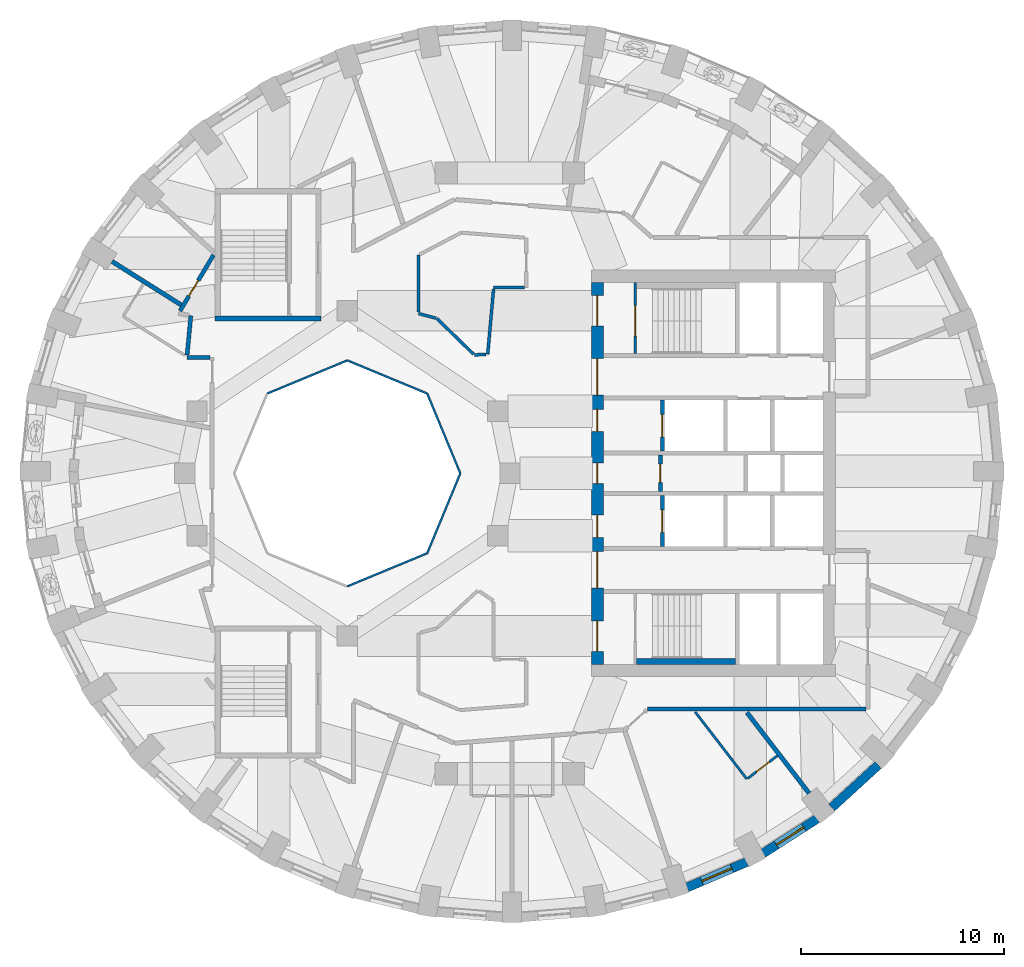
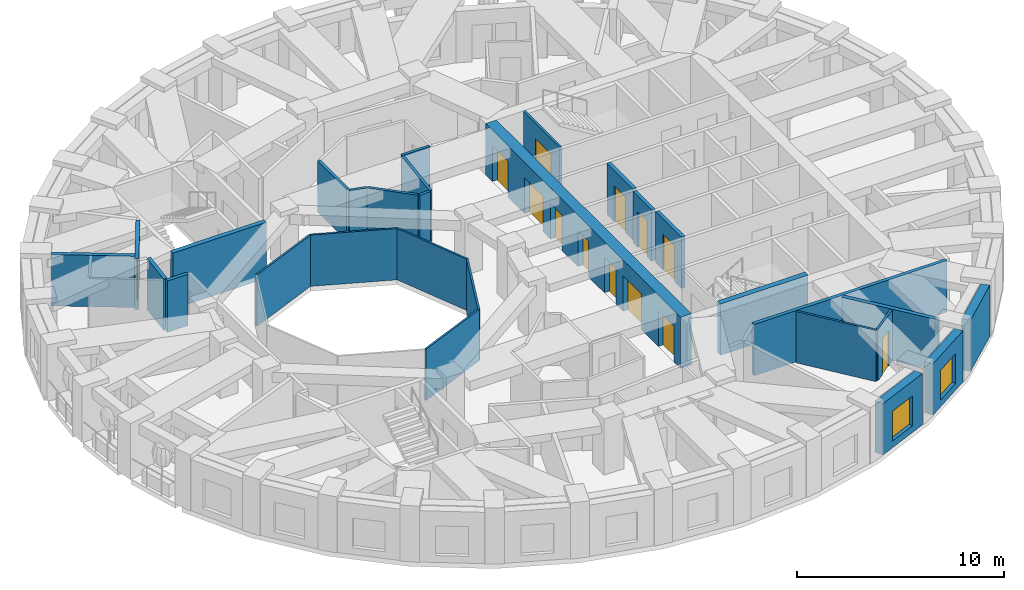
# One storey, part 5 of 12: 29 walls, 13 doors, 2 windows, 15 openings.
"""IFC4 building model written with IfcOpenShell, lengths in metres."""

from ifc_helpers import new_model, si_unit, direction, frame, frame_2d, origin, place, context, subcontext, project, spatial, rectangle, extrude, material, layer, layer_set, type_object, element, fill, save


model = new_model("IFC4")

# Units and contexts
model_context = context("Model", 3, precision=1e-05, world=origin(), true_north=direction((0.0, 1.0)))
body_context = subcontext(model_context, "Body", "Model", "MODEL_VIEW")
ifc_project = project(units=[si_unit("LENGTHUNIT", "METRE"), si_unit("AREAUNIT", "SQUARE_METRE"), si_unit("VOLUMEUNIT", "CUBIC_METRE"), si_unit("PLANEANGLEUNIT", "RADIAN"), si_unit("MASSUNIT", "GRAM", prefix="KILO")], contexts=[model_context])

# Site, building, storey
site_placement = place(None, origin())
site = spatial("IfcSite", under=ifc_project, at=site_placement, CompositionType="ELEMENT")
building_placement = place(site_placement, origin())
building = spatial("IfcBuilding", under=site, at=building_placement, Name="Taillehof Tower", CompositionType="ELEMENT")
storey_placement = place(building_placement, frame((0.0, 0.0, 148.39990234375)))
storey = spatial("IfcBuildingStorey", under=building, at=storey_placement, Name="L41", CompositionType="ELEMENT", Elevation=148.39990234375)

# Walls
ifc_material_1 = material(Name="Fire-resisting glass in steel frame", Category="steel")
ifc_layer_1 = layer(ifc_material_1, 0.10009765625)
ifc_layer_set_1 = layer_set([ifc_layer_1], Name="Atrium fire-resisting screen EI 60 100")
wall_type_1 = type_object("IfcWallType", Name="Atrium fire-resisting screen EI 60 100", PredefinedType="PARTITIONING", material=ifc_layer_set_1)
for number, where, z_axis, x_axis, name in (
    (1, (-2.44580078125, 0.0, 0.0), (0.0, 0.0, 1.0), (-0.382730523909, -0.923860025149, 0.0), "Atrium screen"),
    (2, (-4.07275390625, -3.92724609375, 0.0), (0.0, 0.0, 1.0), (-0.923860025149, -0.382730523909, 0.0), "Atrium screen"),
    (3, (-11.92724609375, 3.92724609375, 0.0), (0.0, 0.0, 1.0), (0.923860025149, 0.382730523909, 0.0), "Atrium screen"),
    (4, (-8.0, 5.55419921875, 0.0), (0.0, 0.0, 1.0), (0.923860025149, -0.382730523909, 0.0), "Atrium screen"),
    (5, (-4.07275390625, 3.92724609375, 0.0), (0.0, 0.0, 1.0), (0.382730523909, -0.923860025149, 0.0), "Atrium screen"),
):
    element("IfcWall", number, at=place(storey_placement, frame(where, z_axis=z_axis, x_axis=x_axis)), inside=storey, type_object=wall_type_1, Name=name, PredefinedType="PARTITIONING", context=body_context, shape_type="SweptSolid", body=[
        extrude(rectangle(XDim=4.2509765625, YDim=0.10009765625, at=frame_2d((2.12548828125, 0.0))), origin(), (0.0, 0.0, 1.0), 3.02001953125),
    ])

# Wall, opening, window
ifc_material_2 = material(Name="Brick masonry", Category="masonry")
ifc_layer_2 = layer(ifc_material_2, 0.449951171875)
ifc_layer_set_2 = layer_set([ifc_layer_2], Name="Brick infill wall 450")
wall_type_2 = type_object("IfcWallType", Name="Brick infill wall 450", PredefinedType="SOLIDWALL", material=ifc_layer_set_2)
wall_1_placement = place(storey_placement, frame((8.706298828125, -20.37451171875, 0.0), z_axis=(0.0, 0.0, 1.0), x_axis=(0.91981046949, 0.392362969986, 0.0)))
wall_1 = element("IfcWall", 6, at=wall_1_placement, inside=storey, type_object=wall_type_2, Name="Brick wall L41 bay 30", PredefinedType="SOLIDWALL", context=body_context, shape_type="SweptSolid", body=[
    extrude(rectangle(XDim=3.20068359375, YDim=0.449951171875, at=frame_2d((1.600341796875, 0.0))), origin(), (0.0, 0.0, 1.0), 3.02001953125),
])
opening_1_placement = place(wall_1_placement, frame((0.80029296875, 0.0, 0.39990234375)))
opening_1 = element("IfcOpeningElement", 7, at=opening_1_placement, cuts=wall_1, Name="Opening W3", PredefinedType="OPENING", context=body_context, shape_type="SweptSolid", body=[
    extrude(rectangle(XDim=1.60009765625, YDim=1.75, at=frame_2d((0.800048828125, 0.875))), frame((0.0, 0.23486328125, 0.0), z_axis=(0.0, -1.0, 0.0), x_axis=(1.0, 0.0, 0.0)), (0.0, 0.0, 1.0), 0.469970703125),
])
ifc_material_3 = material(Name="Aluminium window frame with clear double glazing", Category="aluminium")
window_type = type_object("IfcWindowType", Name="Deep-set window 1600x1750", PartitioningType="SINGLE_PANEL", PredefinedType="WINDOW", material=ifc_material_3)
window_1_placement = place(opening_1_placement, origin())
window_1 = element("IfcWindow", 8, at=window_1_placement, inside=storey, type_object=window_type, Name="W3", OverallHeight=1.75, OverallWidth=1.60009765625, PartitioningType="SINGLE_PANEL", PredefinedType="WINDOW", context=body_context, shape_type="SweptSolid", body=[
    extrude(rectangle(XDim=1.60009765625, YDim=1.75, at=frame_2d((0.800048828125, 0.875))), frame((0.0, 0.034912109375, 0.0), z_axis=(0.0, -1.0, 0.0), x_axis=(1.0, 0.0, 0.0)), (0.0, 0.0, 1.0), 0.06005859375),
])
fill(opening_1, window_1)

wall_2_placement = place(storey_placement, frame((12.454833984375, -18.693115234375, 0.0), z_axis=(0.0, 0.0, 1.0), x_axis=(0.842065914439, 0.539374633943, 0.0)))
wall_2 = element("IfcWall", 9, at=wall_2_placement, inside=storey, type_object=wall_type_2, Name="Brick wall L41 bay 31", PredefinedType="SOLIDWALL", context=body_context, shape_type="SweptSolid", body=[
    extrude(rectangle(XDim=3.1513671875, YDim=0.449951171875, at=frame_2d((1.57568359375, 0.0))), origin(), (0.0, 0.0, 1.0), 3.02001953125),
])
opening_2_placement = place(wall_2_placement, frame((0.775634765625, 0.0, 0.39990234375)))
opening_2 = element("IfcOpeningElement", 10, at=opening_2_placement, cuts=wall_2, Name="Opening W3", PredefinedType="OPENING", context=body_context, shape_type="SweptSolid", body=[
    extrude(rectangle(XDim=1.60009765625, YDim=1.75, at=frame_2d((0.800048828125, 0.875))), frame((0.0, 0.23486328125, 0.0), z_axis=(0.0, -1.0, 0.0), x_axis=(1.0, 0.0, 0.0)), (0.0, 0.0, 1.0), 0.469970703125),
])
window_2_placement = place(opening_2_placement, origin())
window_2 = element("IfcWindow", 11, at=window_2_placement, inside=storey, type_object=window_type, Name="W3", OverallHeight=1.75, OverallWidth=1.60009765625, PartitioningType="SINGLE_PANEL", PredefinedType="WINDOW", context=body_context, shape_type="SweptSolid", body=[
    extrude(rectangle(XDim=1.60009765625, YDim=1.75, at=frame_2d((0.800048828125, 0.875))), frame((0.0, 0.034912109375, 0.0), z_axis=(0.0, -1.0, 0.0), x_axis=(1.0, 0.0, 0.0)), (0.0, 0.0, 1.0), 0.06005859375),
])
fill(opening_2, window_2)

# Wall
wall_3_placement = place(storey_placement, frame((15.830078125, -16.438720703125, 0.0), z_axis=(0.0, 0.0, 1.0), x_axis=(0.737808755941, 0.675009807082, 0.0)))
element("IfcWall", 12, at=wall_3_placement, inside=storey, type_object=wall_type_2, Name="Brick wall L41 bay 32", PredefinedType="SOLIDWALL", context=body_context, shape_type="SweptSolid", body=[
    extrude(rectangle(XDim=3.094482421875, YDim=0.449951171875, at=frame_2d((1.54736328125, 0.0))), origin(), (0.0, 0.0, 1.0), 3.02001953125),
])

# Wall, opening, door
ifc_material_4 = material(Name="Calcium silicate masonry", Category="masonry")
ifc_layer_3 = layer(ifc_material_4, 0.199951171875)
ifc_layer_set_3 = layer_set([ifc_layer_3], Name="Compartment wall calcium silicate 200")
wall_type_3 = type_object("IfcWallType", Name="Compartment wall calcium silicate 200", PredefinedType="PARTITIONING", material=ifc_layer_set_3)
wall_4_placement = place(storey_placement, frame((7.39990234375, -0.89990234375, 0.0), z_axis=(0.0, 0.0, 1.0), x_axis=(0.0, 1.0, 0.0)))
wall_4 = element("IfcWall", 13, at=wall_4_placement, inside=storey, type_object=wall_type_3, Name="Compartment wall FW", PredefinedType="PARTITIONING", context=body_context, shape_type="SweptSolid", body=[
    extrude(rectangle(XDim=1.7998046875, YDim=0.199951171875, at=frame_2d((0.89990234375, 0.0))), origin(), (0.0, 0.0, 1.0), 3.02001953125),
])
opening_3_placement = place(wall_4_placement, frame((0.449951171875, 0.0, 0.0)))
opening_3 = element("IfcOpeningElement", 14, at=opening_3_placement, cuts=wall_4, Name="Opening D4114", PredefinedType="OPENING", context=body_context, shape_type="SweptSolid", body=[
    extrude(rectangle(XDim=0.89990234375, YDim=2.10009765625, at=frame_2d((0.449951171875, 1.050048828125))), frame((0.0, 0.10986328125, 0.0), z_axis=(0.0, -1.0, 0.0), x_axis=(1.0, 0.0, 0.0)), (0.0, 0.0, 1.0), 0.219970703125),
])
ifc_material_5 = material(Name="Steel-faced fire door", Category="steel")
door_type_1 = type_object("IfcDoorType", Name="Riser and service room door 900x2100", OperationType="SINGLE_SWING_LEFT", PredefinedType="DOOR", material=ifc_material_5)
door_1_placement = place(opening_3_placement, origin())
door_1 = element("IfcDoor", 15, at=door_1_placement, inside=storey, type_object=door_type_1, Name="Door Linen Store", OperationType="SINGLE_SWING_RIGHT", OverallHeight=2.10009765625, OverallWidth=0.89990234375, PredefinedType="DOOR", context=body_context, shape_type="SweptSolid", body=[
    extrude(rectangle(XDim=0.89990234375, YDim=2.10009765625, at=frame_2d((0.449951171875, 1.050048828125))), frame((0.0, 0.02490234375, 0.0), z_axis=(0.0, -1.0, 0.0), x_axis=(1.0, 0.0, 0.0)), (0.0, 0.0, 1.0), 0.050048828125),
])
fill(opening_3, door_1)

# Walls
ifc_material_6 = material(Name="Gypsum board on steel studs, two layers each side", Category="steel")
ifc_layer_4 = layer(ifc_material_6, 0.199951171875)
ifc_layer_set_4 = layer_set([ifc_layer_4], Name="Compartment wall corridor 200")
wall_type_4 = type_object("IfcWallType", Name="Compartment wall corridor 200", PredefinedType="PARTITIONING", material=ifc_layer_set_4)
wall_5_placement = place(storey_placement, frame((17.5, -11.60009765625, 0.0), z_axis=(0.0, 0.0, 1.0), x_axis=(-1.0, 0.0, 0.0)))
element("IfcWall", 16, at=wall_5_placement, inside=storey, type_object=wall_type_4, Name="Compartment wall", PredefinedType="PARTITIONING", context=body_context, shape_type="SweptSolid", body=[
    extrude(rectangle(XDim=10.732421875, YDim=0.199951171875, at=frame_2d((5.3662109375, 0.0))), origin(), (0.0, 0.0, 1.0), 3.02001953125),
])
wall_6_placement = place(storey_placement, frame((-14.746826171875, 5.699951171875, 0.0), z_axis=(0.0, 0.0, 1.0), x_axis=(-1.0, 0.0, 0.0)))
element("IfcWall", 17, at=wall_6_placement, inside=storey, type_object=wall_type_4, Name="Compartment wall", PredefinedType="PARTITIONING", context=body_context, shape_type="SweptSolid", body=[
    extrude(rectangle(XDim=1.145263671875, YDim=0.199951171875, at=frame_2d((0.57275390625, 0.0))), origin(), (0.0, 0.0, 1.0), 3.02001953125),
])
wall_7_placement = place(storey_placement, frame((-15.88037109375, 5.820068359375, 0.0), z_axis=(0.0, 0.0, 1.0), x_axis=(0.094892019157, 0.995487571344, 0.0)))
element("IfcWall", 18, at=wall_7_placement, inside=storey, type_object=wall_type_4, Name="Compartment wall", PredefinedType="PARTITIONING", context=body_context, shape_type="SweptSolid", body=[
    extrude(rectangle(XDim=1.945068359375, YDim=0.199951171875, at=frame_2d((0.97265625, 0.0))), origin(), (0.0, 0.0, 1.0), 3.02001953125),
])

# Wall, opening, door
wall_8_placement = place(storey_placement, frame((-16.228271484375, 7.9921875, 0.0), z_axis=(0.0, 0.0, 1.0), x_axis=(0.513936465122, 0.857828251935, 0.0)))
wall_8 = element("IfcWall", 19, at=wall_8_placement, inside=storey, type_object=wall_type_4, Name="Compartment wall", PredefinedType="PARTITIONING", context=body_context, shape_type="SweptSolid", body=[
    extrude(rectangle(XDim=3.210205078125, YDim=0.199951171875, at=frame_2d((1.60498046875, 0.0))), origin(), (0.0, 0.0, 1.0), 3.02001953125),
])
opening_4_placement = place(wall_8_placement, frame((0.84814453125, 0.0, 0.0)))
opening_4 = element("IfcOpeningElement", 20, at=opening_4_placement, cuts=wall_8, Name="Opening D4145", PredefinedType="OPENING", context=body_context, shape_type="SweptSolid", body=[
    extrude(rectangle(XDim=0.89990234375, YDim=2.10009765625, at=frame_2d((0.449951171875, 1.050048828125))), frame((0.0, 0.10986328125, 0.0), z_axis=(0.0, -1.0, 0.0), x_axis=(1.0, 0.0, 0.0)), (0.0, 0.0, 1.0), 0.219970703125),
])
ifc_material_7 = material(Name="Timber door leaf in steel frame", Category="steel")
door_type_2 = type_object("IfcDoorType", Name="Service room door EI 30 900 x 2100", OperationType="SINGLE_SWING_LEFT", PredefinedType="DOOR", material=ifc_material_7)
door_2_placement = place(opening_4_placement, origin())
door_2 = element("IfcDoor", 21, at=door_2_placement, inside=storey, type_object=door_type_2, Name="D4145", OperationType="SINGLE_SWING_LEFT", OverallHeight=2.10009765625, OverallWidth=0.89990234375, PredefinedType="DOOR", context=body_context, shape_type="SweptSolid", body=[
    extrude(rectangle(XDim=0.89990234375, YDim=2.10009765625, at=frame_2d((0.449951171875, 1.050048828125))), frame((0.0, 0.02490234375, 0.0), z_axis=(0.0, -1.0, 0.0), x_axis=(1.0, 0.0, 0.0)), (0.0, 0.0, 1.0), 0.050048828125),
])
fill(opening_4, door_2)

# Walls
ifc_material_8 = material(Name="Gypsum board on double steel studs with mineral wool", Category="steel")
ifc_layer_5 = layer(ifc_material_8, 0.219970703125)
ifc_layer_set_5 = layer_set([ifc_layer_5], Name="Compartment wall guest room 220")
wall_type_5 = type_object("IfcWallType", Name="Compartment wall guest room 220", PredefinedType="PARTITIONING", material=ifc_layer_set_5)
wall_9_placement = place(storey_placement, frame((-19.573486328125, 10.425537109375, 0.0), z_axis=(0.0, 0.0, 1.0), x_axis=(0.846298736827, -0.532708595805, 0.0)))
element("IfcWall", 22, at=wall_9_placement, inside=storey, type_object=wall_type_5, Name="Compartment wall", PredefinedType="PARTITIONING", context=body_context, shape_type="SweptSolid", body=[
    extrude(rectangle(XDim=4.021240234375, YDim=0.219970703125, at=frame_2d((2.0107421875, 0.0))), origin(), (0.0, 0.0, 1.0), 3.02001953125),
])
wall_10_placement = place(storey_placement, frame((14.7158203125, -15.7373046875, 0.0), z_axis=(0.0, 0.0, 1.0), x_axis=(-0.609986007715, 0.792412184657, 0.0)))
element("IfcWall", 23, at=wall_10_placement, inside=storey, type_object=wall_type_5, Name="Compartment wall", PredefinedType="PARTITIONING", context=body_context, shape_type="SweptSolid", body=[
    extrude(rectangle(XDim=5.0146484375, YDim=0.219970703125, at=frame_2d((2.50732421875, 0.0))), origin(), (0.0, 0.0, 1.0), 3.02001953125),
])
ifc_material_9 = material(Name="Calcium silicate masonry", Category="masonry")
ifc_layer_6 = layer(ifc_material_9, 0.300048828125)
ifc_layer_set_6 = layer_set([ifc_layer_6], Name="Compartment wall lining calcium silicate 300")
wall_type_6 = type_object("IfcWallType", Name="Compartment wall lining calcium silicate 300", PredefinedType="PARTITIONING", material=ifc_layer_set_6)
wall_11_placement = place(storey_placement, frame((6.219970703125, -9.25, 0.0), z_axis=(0.0, 0.0, 1.0), x_axis=(1.0, 0.0, 0.0)))
element("IfcWall", 24, at=wall_11_placement, inside=storey, type_object=wall_type_6, Name="Compartment wall FW", PredefinedType="PARTITIONING", context=body_context, shape_type="SweptSolid", body=[
    extrude(rectangle(XDim=4.880126953125, YDim=0.300048828125, at=frame_2d((2.43994140625, 0.0))), origin(), (0.0, 0.0, 1.0), 3.02001953125),
])
ifc_material_10 = material(Name="Gypsum board on steel studs, two layers each side", Category="steel")
ifc_layer_7 = layer(ifc_material_10, 0.14990234375)
ifc_layer_set_7 = layer_set([ifc_layer_7], Name="Compartment wall service room 150")
wall_type_7 = type_object("IfcWallType", Name="Compartment wall service room 150", PredefinedType="PARTITIONING", material=ifc_layer_set_7)
wall_12_placement = place(storey_placement, frame((0.719970703125, 9.14990234375, 0.0), z_axis=(0.0, 0.0, 1.0), x_axis=(-1.0, 0.0, 0.0)))
element("IfcWall", 25, at=wall_12_placement, inside=storey, type_object=wall_type_7, Name="Compartment wall", PredefinedType="PARTITIONING", context=body_context, shape_type="SweptSolid", body=[
    extrude(rectangle(XDim=1.52001953125, YDim=0.14990234375, at=frame_2d((0.760009765625, 0.0))), origin(), (0.0, 0.0, 1.0), 3.02001953125),
])
wall_13_placement = place(storey_placement, frame((-0.806884765625, 9.06982421875, 0.0), z_axis=(0.0, 0.0, 1.0), x_axis=(-0.089184087733, -0.996015159772, 0.0)))
element("IfcWall", 26, at=wall_13_placement, inside=storey, type_object=wall_type_7, Name="Compartment wall", PredefinedType="PARTITIONING", context=body_context, shape_type="SweptSolid", body=[
    extrude(rectangle(XDim=3.224853515625, YDim=0.14990234375, at=frame_2d((1.6123046875, 0.0))), origin(), (0.0, 0.0, 1.0), 3.02001953125),
])
wall_14_placement = place(storey_placement, frame((-1.174560546875, 5.85400390625, 0.0), z_axis=(0.0, 0.0, 1.0), x_axis=(-0.998798267986, -0.049010405705, 0.0)))
element("IfcWall", 27, at=wall_14_placement, inside=storey, type_object=wall_type_7, Name="Compartment wall", PredefinedType="PARTITIONING", context=body_context, shape_type="SweptSolid", body=[
    extrude(rectangle(XDim=0.577880859375, YDim=0.14990234375, at=frame_2d((0.2890625, 0.0))), origin(), (0.0, 0.0, 1.0), 3.02001953125),
])
wall_15_placement = place(storey_placement, frame((-1.794921875, 5.867431640625, 0.0), z_axis=(0.0, 0.0, 1.0), x_axis=(-0.717315398231, 0.696748605639, 0.0)))
element("IfcWall", 28, at=wall_15_placement, inside=storey, type_object=wall_type_7, Name="Compartment wall", PredefinedType="PARTITIONING", context=body_context, shape_type="SweptSolid", body=[
    extrude(rectangle(XDim=2.5166015625, YDim=0.14990234375, at=frame_2d((1.25830078125, 0.0))), origin(), (0.0, 0.0, 1.0), 3.02001953125),
])
wall_16_placement = place(storey_placement, frame((-3.638671875, 7.631103515625, 0.0), z_axis=(0.0, 0.0, 1.0), x_axis=(-0.965879594242, 0.258991523853, 0.0)))
element("IfcWall", 29, at=wall_16_placement, inside=storey, type_object=wall_type_7, Name="Compartment wall", PredefinedType="PARTITIONING", context=body_context, shape_type="SweptSolid", body=[
    extrude(rectangle(XDim=0.891845703125, YDim=0.14990234375, at=frame_2d((0.44580078125, 0.0))), origin(), (0.0, 0.0, 1.0), 3.02001953125),
])
wall_17_placement = place(storey_placement, frame((-4.5, 7.942138671875, 0.0), z_axis=(0.0, 0.0, 1.0), x_axis=(0.0, 1.0, 0.0)))
element("IfcWall", 30, at=wall_17_placement, inside=storey, type_object=wall_type_7, Name="Compartment wall", PredefinedType="PARTITIONING", context=body_context, shape_type="SweptSolid", body=[
    extrude(rectangle(XDim=2.79638671875, YDim=0.14990234375, at=frame_2d((1.398193359375, 0.0))), origin(), (0.0, 0.0, 1.0), 3.02001953125),
])

# Wall, openings, doors
ifc_material_11 = material(Name="Concrete C80/95", Category="concrete")
ifc_layer_8 = layer(ifc_material_11, 0.60009765625)
ifc_layer_set_8 = layer_set([ifc_layer_8], Name="Core wall C80/95 600")
wall_type_8 = type_object("IfcWallType", Name="Core wall C80/95 600", PredefinedType="SHEAR", material=ifc_layer_set_8)
wall_18_placement = place(storey_placement, frame((4.300048828125, -9.39990234375, 0.0), z_axis=(0.0, 0.0, 1.0), x_axis=(0.0, 1.0, 0.0)))
wall_18 = element("IfcWall", 31, at=wall_18_placement, inside=storey, type_object=wall_type_8, Name="Core wall CW01", PredefinedType="SHEAR", context=body_context, shape_type="SweptSolid", body=[
    extrude(rectangle(XDim=18.7998046875, YDim=0.60009765625, at=frame_2d((9.39990234375, 0.0))), origin(), (0.0, 0.0, 1.0), 3.02001953125),
])
opening_5_placement = place(wall_18_placement, frame((0.64990234375, 0.0, 0.0)))
opening_5 = element("IfcOpeningElement", 32, at=opening_5_placement, cuts=wall_18, Name="Opening D4101", PredefinedType="OPENING", context=body_context, shape_type="SweptSolid", body=[
    extrude(rectangle(XDim=1.5, YDim=2.10009765625, at=frame_2d((0.75, 1.050048828125))), frame((0.0, 0.31005859375, 0.0), z_axis=(0.0, -1.0, 0.0), x_axis=(1.0, 0.0, 0.0)), (0.0, 0.0, 1.0), 0.6201171875),
])
opening_6_placement = place(wall_18_placement, frame((3.75, 0.0, 0.0)))
opening_6 = element("IfcOpeningElement", 33, at=opening_6_placement, cuts=wall_18, Name="Opening D4102", PredefinedType="OPENING", context=body_context, shape_type="SweptSolid", body=[
    extrude(rectangle(XDim=1.800048828125, YDim=2.10009765625, at=frame_2d((0.89990234375, 1.050048828125))), frame((0.0, 0.31005859375, 0.0), z_axis=(0.0, -1.0, 0.0), x_axis=(1.0, 0.0, 0.0)), (0.0, 0.0, 1.0), 0.6201171875),
])
opening_7_placement = place(wall_18_placement, frame((6.25, 0.0, 0.0)))
opening_7 = element("IfcOpeningElement", 34, at=opening_7_placement, cuts=wall_18, Name="Opening D4103", PredefinedType="OPENING", context=body_context, shape_type="SweptSolid", body=[
    extrude(rectangle(XDim=1.10009765625, YDim=2.10009765625, at=frame_2d((0.550048828125, 1.050048828125))), frame((0.0, 0.31005859375, 0.0), z_axis=(0.0, -1.0, 0.0), x_axis=(1.0, 0.0, 0.0)), (0.0, 0.0, 1.0), 0.6201171875),
])
opening_8_placement = place(wall_18_placement, frame((8.89990234375, 0.0, 0.0)))
opening_8 = element("IfcOpeningElement", 35, at=opening_8_placement, cuts=wall_18, Name="Opening D4104", PredefinedType="OPENING", context=body_context, shape_type="SweptSolid", body=[
    extrude(rectangle(XDim=1.0, YDim=2.10009765625, at=frame_2d((0.5, 1.050048828125))), frame((0.0, 0.31005859375, 0.0), z_axis=(0.0, -1.0, 0.0), x_axis=(1.0, 0.0, 0.0)), (0.0, 0.0, 1.0), 0.6201171875),
])
opening_9_placement = place(wall_18_placement, frame((11.449951171875, 0.0, 0.0)))
opening_9 = element("IfcOpeningElement", 36, at=opening_9_placement, cuts=wall_18, Name="Opening D4105", PredefinedType="OPENING", context=body_context, shape_type="SweptSolid", body=[
    extrude(rectangle(XDim=1.10009765625, YDim=2.10009765625, at=frame_2d((0.550048828125, 1.050048828125))), frame((0.0, 0.31005859375, 0.0), z_axis=(0.0, -1.0, 0.0), x_axis=(1.0, 0.0, 0.0)), (0.0, 0.0, 1.0), 0.6201171875),
])
opening_10_placement = place(wall_18_placement, frame((13.25, 0.0, 0.0)))
opening_10 = element("IfcOpeningElement", 37, at=opening_10_placement, cuts=wall_18, Name="Opening D4106", PredefinedType="OPENING", context=body_context, shape_type="SweptSolid", body=[
    extrude(rectangle(XDim=1.800048828125, YDim=2.10009765625, at=frame_2d((0.89990234375, 1.050048828125))), frame((0.0, 0.31005859375, 0.0), z_axis=(0.0, -1.0, 0.0), x_axis=(1.0, 0.0, 0.0)), (0.0, 0.0, 1.0), 0.6201171875),
])
opening_11_placement = place(wall_18_placement, frame((16.64990234375, 0.0, 0.0)))
opening_11 = element("IfcOpeningElement", 38, at=opening_11_placement, cuts=wall_18, Name="Opening D4107", PredefinedType="OPENING", context=body_context, shape_type="SweptSolid", body=[
    extrude(rectangle(XDim=1.5, YDim=2.10009765625, at=frame_2d((0.75, 1.050048828125))), frame((0.0, 0.31005859375, 0.0), z_axis=(0.0, -1.0, 0.0), x_axis=(1.0, 0.0, 0.0)), (0.0, 0.0, 1.0), 0.6201171875),
])
ifc_material_12 = material(Name="Steel-faced fire door", Category="steel")
door_type_3 = type_object("IfcDoorType", Name="Firefighting lobby door 1100x2100", OperationType="SINGLE_SWING_RIGHT", PredefinedType="DOOR", material=ifc_material_12)
door_3_placement = place(opening_7_placement, origin())
door_3 = element("IfcDoor", 39, at=door_3_placement, inside=storey, type_object=door_type_3, Name="Firefighting lobby door FFL-S", OperationType="SINGLE_SWING_RIGHT", OverallHeight=2.10009765625, OverallWidth=1.10009765625, PredefinedType="DOOR", context=body_context, shape_type="SweptSolid", body=[
    extrude(rectangle(XDim=1.10009765625, YDim=2.10009765625, at=frame_2d((0.550048828125, 1.050048828125))), frame((0.0, 0.02490234375, 0.0), z_axis=(0.0, -1.0, 0.0), x_axis=(1.0, 0.0, 0.0)), (0.0, 0.0, 1.0), 0.050048828125),
])
fill(opening_7, door_3)
door_4_placement = place(opening_9_placement, origin())
door_4 = element("IfcDoor", 40, at=door_4_placement, inside=storey, type_object=door_type_3, Name="Firefighting lobby door FFL-N", OperationType="SINGLE_SWING_LEFT", OverallHeight=2.10009765625, OverallWidth=1.10009765625, PredefinedType="DOOR", context=body_context, shape_type="SweptSolid", body=[
    extrude(rectangle(XDim=1.10009765625, YDim=2.10009765625, at=frame_2d((0.550048828125, 1.050048828125))), frame((0.0, 0.02490234375, 0.0), z_axis=(0.0, -1.0, 0.0), x_axis=(1.0, 0.0, 0.0)), (0.0, 0.0, 1.0), 0.050048828125),
])
fill(opening_9, door_4)
ifc_material_13 = material(Name="Steel-faced fire door", Category="steel")
door_type_4 = type_object("IfcDoorType", Name="Lift lobby door 1800x2100", OperationType="DOUBLE_DOOR_SINGLE_SWING", PredefinedType="DOOR", material=ifc_material_13)
door_5_placement = place(opening_6_placement, origin())
door_5 = element("IfcDoor", 41, at=door_5_placement, inside=storey, type_object=door_type_4, Name="Lift lobby door LL-S", OperationType="DOUBLE_DOOR_SINGLE_SWING", OverallHeight=2.10009765625, OverallWidth=1.800048828125, PredefinedType="DOOR", context=body_context, shape_type="SweptSolid", body=[
    extrude(rectangle(XDim=1.800048828125, YDim=2.10009765625, at=frame_2d((0.89990234375, 1.050048828125))), frame((0.0, 0.02490234375, 0.0), z_axis=(0.0, -1.0, 0.0), x_axis=(1.0, 0.0, 0.0)), (0.0, 0.0, 1.0), 0.050048828125),
])
fill(opening_6, door_5)
door_6_placement = place(opening_10_placement, origin())
door_6 = element("IfcDoor", 42, at=door_6_placement, inside=storey, type_object=door_type_4, Name="Lift lobby door LL-N", OperationType="DOUBLE_DOOR_SINGLE_SWING", OverallHeight=2.10009765625, OverallWidth=1.800048828125, PredefinedType="DOOR", context=body_context, shape_type="SweptSolid", body=[
    extrude(rectangle(XDim=1.800048828125, YDim=2.10009765625, at=frame_2d((0.89990234375, 1.050048828125))), frame((0.0, 0.02490234375, 0.0), z_axis=(0.0, -1.0, 0.0), x_axis=(1.0, 0.0, 0.0)), (0.0, 0.0, 1.0), 0.050048828125),
])
fill(opening_10, door_6)
ifc_material_14 = material(Name="Steel-faced fire door", Category="steel")
door_type_5 = type_object("IfcDoorType", Name="Service door 1000x2100", OperationType="SINGLE_SWING_RIGHT", PredefinedType="DOOR", material=ifc_material_14)
door_7_placement = place(opening_8_placement, origin())
door_7 = element("IfcDoor", 43, at=door_7_placement, inside=storey, type_object=door_type_5, Name="Service door SV", OperationType="SINGLE_SWING_RIGHT", OverallHeight=2.10009765625, OverallWidth=1.0, PredefinedType="DOOR", context=body_context, shape_type="SweptSolid", body=[
    extrude(rectangle(XDim=1.0, YDim=2.10009765625, at=frame_2d((0.5, 1.050048828125))), frame((0.0, 0.02490234375, 0.0), z_axis=(0.0, -1.0, 0.0), x_axis=(1.0, 0.0, 0.0)), (0.0, 0.0, 1.0), 0.050048828125),
])
fill(opening_8, door_7)
ifc_material_15 = material(Name="Steel-faced fire door", Category="steel")
door_type_6 = type_object("IfcDoorType", Name="Stair door 1500x2100", OperationType="DOUBLE_DOOR_SINGLE_SWING", PredefinedType="DOOR", material=ifc_material_15)
door_8_placement = place(opening_5_placement, origin())
door_8 = element("IfcDoor", 44, at=door_8_placement, inside=storey, type_object=door_type_6, Name="Stair door S2", OperationType="DOUBLE_DOOR_SINGLE_SWING", OverallHeight=2.10009765625, OverallWidth=1.5, PredefinedType="DOOR", context=body_context, shape_type="SweptSolid", body=[
    extrude(rectangle(XDim=1.5, YDim=2.10009765625, at=frame_2d((0.75, 1.050048828125))), frame((0.0, 0.02490234375, 0.0), z_axis=(0.0, -1.0, 0.0), x_axis=(1.0, 0.0, 0.0)), (0.0, 0.0, 1.0), 0.050048828125),
])
fill(opening_5, door_8)
door_9_placement = place(opening_11_placement, origin())
door_9 = element("IfcDoor", 45, at=door_9_placement, inside=storey, type_object=door_type_6, Name="Stair door S1", OperationType="DOUBLE_DOOR_SINGLE_SWING", OverallHeight=2.10009765625, OverallWidth=1.5, PredefinedType="DOOR", context=body_context, shape_type="SweptSolid", body=[
    extrude(rectangle(XDim=1.5, YDim=2.10009765625, at=frame_2d((0.75, 1.050048828125))), frame((0.0, 0.02490234375, 0.0), z_axis=(0.0, -1.0, 0.0), x_axis=(1.0, 0.0, 0.0)), (0.0, 0.0, 1.0), 0.050048828125),
])
fill(opening_11, door_9)

# Wall
ifc_material_16 = material(Name="Gypsum board on steel studs, moisture resistant", Category="steel")
ifc_layer_9 = layer(ifc_material_16, 0.1201171875)
ifc_layer_set_9 = layer_set([ifc_layer_9], Name="En-suite wall 120")
wall_type_9 = type_object("IfcWallType", Name="En-suite wall 120", PredefinedType="PARTITIONING", material=ifc_layer_set_9)
wall_19_placement = place(storey_placement, frame((9.108642578125, -11.73193359375, 0.0), z_axis=(0.0, 0.0, 1.0), x_axis=(0.609996270026, -0.79240428479, 0.0)))
element("IfcWall", 46, at=wall_19_placement, inside=storey, type_object=wall_type_9, Name="En-suite wall", PredefinedType="PARTITIONING", context=body_context, shape_type="SweptSolid", body=[
    extrude(rectangle(XDim=4.17333984375, YDim=0.1201171875, at=frame_2d((2.086669921875, 0.0))), origin(), (0.0, 0.0, 1.0), 3.02001953125),
])

# Wall, opening, door
wall_20_placement = place(storey_placement, frame((11.701904296875, -15.002197265625, 0.0), z_axis=(0.0, 0.0, 1.0), x_axis=(0.792395776304, 0.610007322657, 0.0)))
wall_20 = element("IfcWall", 47, at=wall_20_placement, inside=storey, type_object=wall_type_9, Name="En-suite wall", PredefinedType="PARTITIONING", context=body_context, shape_type="SweptSolid", body=[
    extrude(rectangle(XDim=1.829833984375, YDim=0.1201171875, at=frame_2d((0.9150390625, 0.0))), origin(), (0.0, 0.0, 1.0), 3.02001953125),
])
opening_12_placement = place(wall_20_placement, frame((0.5400390625, 0.0, 0.0)))
opening_12 = element("IfcOpeningElement", 48, at=opening_12_placement, cuts=wall_20, Name="Opening D4156", PredefinedType="OPENING", context=body_context, shape_type="SweptSolid", body=[
    extrude(rectangle(XDim=0.800048828125, YDim=2.10009765625, at=frame_2d((0.39990234375, 1.050048828125))), frame((0.0, 0.070068359375, 0.0), z_axis=(0.0, -1.0, 0.0), x_axis=(1.0, 0.0, 0.0)), (0.0, 0.0, 1.0), 0.14013671875),
])
ifc_material_17 = material(Name="Timber door leaf in steel frame", Category="steel")
door_type_7 = type_object("IfcDoorType", Name="En-suite door 800 x 2100", OperationType="SINGLE_SWING_LEFT", PredefinedType="DOOR", material=ifc_material_17)
door_10_placement = place(opening_12_placement, origin())
door_10 = element("IfcDoor", 49, at=door_10_placement, inside=storey, type_object=door_type_7, Name="D4156", OperationType="SINGLE_SWING_LEFT", OverallHeight=2.10009765625, OverallWidth=0.800048828125, PredefinedType="DOOR", context=body_context, shape_type="SweptSolid", body=[
    extrude(rectangle(XDim=0.800048828125, YDim=2.10009765625, at=frame_2d((0.39990234375, 1.050048828125))), frame((0.0, 0.02490234375, 0.0), z_axis=(0.0, -1.0, 0.0), x_axis=(1.0, 0.0, 0.0)), (0.0, 0.0, 1.0), 0.050048828125),
])
fill(opening_12, door_10)

ifc_material_18 = material(Name="Concrete C50/60", Category="concrete")
ifc_layer_10 = layer(ifc_material_18, 0.199951171875)
ifc_layer_set_10 = layer_set([ifc_layer_10], Name="Shaft wall C50/60 200")
wall_type_10 = type_object("IfcWallType", Name="Shaft wall C50/60 200", PredefinedType="SHEAR", material=ifc_layer_set_10)
wall_21_placement = place(storey_placement, frame((7.5, 1.10009765625, 0.0), z_axis=(0.0, 0.0, 1.0), x_axis=(0.0, 1.0, 0.0)))
wall_21 = element("IfcWall", 50, at=wall_21_placement, inside=storey, type_object=wall_type_10, Name="Shaft wall SW", PredefinedType="SHEAR", context=body_context, shape_type="SweptSolid", body=[
    extrude(rectangle(XDim=2.5, YDim=0.199951171875, at=frame_2d((1.25, 0.0))), origin(), (0.0, 0.0, 1.0), 3.02001953125),
])
opening_13_placement = place(wall_21_placement, frame((0.699951171875, 0.0, 0.0)))
opening_13 = element("IfcOpeningElement", 51, at=opening_13_placement, cuts=wall_21, Name="Opening LD1", PredefinedType="OPENING", context=body_context, shape_type="SweptSolid", body=[
    extrude(rectangle(XDim=1.10009765625, YDim=2.10009765625, at=frame_2d((0.550048828125, 1.050048828125))), frame((0.0, 0.10986328125, 0.0), z_axis=(0.0, -1.0, 0.0), x_axis=(1.0, 0.0, 0.0)), (0.0, 0.0, 1.0), 0.219970703125),
])
ifc_material_19 = material(Name="Stainless steel", Category="steel")
door_type_8 = type_object("IfcDoorType", Name="Lift landing door LD1 1100x2100", OperationType="DOUBLE_DOOR_SLIDING", PredefinedType="DOOR", material=ifc_material_19)
door_11_placement = place(opening_13_placement, origin())
door_11 = element("IfcDoor", 52, at=door_11_placement, inside=storey, type_object=door_type_8, Name="Landing door FF1", OperationType="DOUBLE_DOOR_SLIDING", OverallHeight=2.10009765625, OverallWidth=1.10009765625, PredefinedType="DOOR", context=body_context, shape_type="SweptSolid", body=[
    extrude(rectangle(XDim=1.10009765625, YDim=2.10009765625, at=frame_2d((0.550048828125, 1.050048828125))), frame((0.0, 0.02490234375, 0.0), z_axis=(0.0, -1.0, 0.0), x_axis=(1.0, 0.0, 0.0)), (0.0, 0.0, 1.0), 0.050048828125),
])
fill(opening_13, door_11)

wall_22_placement = place(storey_placement, frame((7.5, -3.60009765625, 0.0), z_axis=(0.0, 0.0, 1.0), x_axis=(0.0, 1.0, 0.0)))
wall_22 = element("IfcWall", 53, at=wall_22_placement, inside=storey, type_object=wall_type_10, Name="Shaft wall SW", PredefinedType="SHEAR", context=body_context, shape_type="SweptSolid", body=[
    extrude(rectangle(XDim=2.5, YDim=0.199951171875, at=frame_2d((1.25, 0.0))), origin(), (0.0, 0.0, 1.0), 3.02001953125),
])
opening_14_placement = place(wall_22_placement, frame((0.699951171875, 0.0, 0.0)))
opening_14 = element("IfcOpeningElement", 54, at=opening_14_placement, cuts=wall_22, Name="Opening LD1", PredefinedType="OPENING", context=body_context, shape_type="SweptSolid", body=[
    extrude(rectangle(XDim=1.10009765625, YDim=2.10009765625, at=frame_2d((0.550048828125, 1.050048828125))), frame((0.0, 0.10986328125, 0.0), z_axis=(0.0, -1.0, 0.0), x_axis=(1.0, 0.0, 0.0)), (0.0, 0.0, 1.0), 0.219970703125),
])
door_12_placement = place(opening_14_placement, origin())
door_12 = element("IfcDoor", 55, at=door_12_placement, inside=storey, type_object=door_type_8, Name="Landing door FF2", OperationType="DOUBLE_DOOR_SLIDING", OverallHeight=2.10009765625, OverallWidth=1.10009765625, PredefinedType="DOOR", context=body_context, shape_type="SweptSolid", body=[
    extrude(rectangle(XDim=1.10009765625, YDim=2.10009765625, at=frame_2d((0.550048828125, 1.050048828125))), frame((0.0, 0.02490234375, 0.0), z_axis=(0.0, -1.0, 0.0), x_axis=(1.0, 0.0, 0.0)), (0.0, 0.0, 1.0), 0.050048828125),
])
fill(opening_14, door_12)

ifc_material_20 = material(Name="Concrete C50/60", Category="concrete")
ifc_layer_11 = layer(ifc_material_20, 0.1201171875)
ifc_layer_set_11 = layer_set([ifc_layer_11], Name="Stair lobby wall C50/60 120")
wall_type_11 = type_object("IfcWallType", Name="Stair lobby wall C50/60 120", PredefinedType="SHEAR", material=ifc_layer_set_11)
wall_23_placement = place(storey_placement, frame((6.159912109375, 5.89990234375, 0.0), z_axis=(0.0, 0.0, 1.0), x_axis=(0.0, 1.0, 0.0)))
wall_23 = element("IfcWall", 56, at=wall_23_placement, inside=storey, type_object=wall_type_11, Name="Compartment wall SW", PredefinedType="SHEAR", context=body_context, shape_type="SweptSolid", body=[
    extrude(rectangle(XDim=3.5, YDim=0.1201171875, at=frame_2d((1.75, 0.0))), origin(), (0.0, 0.0, 1.0), 3.02001953125),
])
opening_15_placement = place(wall_23_placement, frame((0.85009765625, 0.0, 0.0)))
opening_15 = element("IfcOpeningElement", 57, at=opening_15_placement, cuts=wall_23, Name="Opening D4110", PredefinedType="OPENING", context=body_context, shape_type="SweptSolid", body=[
    extrude(rectangle(XDim=1.5, YDim=2.10009765625, at=frame_2d((0.75, 1.050048828125))), frame((0.0, 0.070068359375, 0.0), z_axis=(0.0, -1.0, 0.0), x_axis=(1.0, 0.0, 0.0)), (0.0, 0.0, 1.0), 0.14013671875),
])
door_13_placement = place(opening_15_placement, origin())
door_13 = element("IfcDoor", 58, at=door_13_placement, inside=storey, type_object=door_type_6, Name="Stair lobby door S1", OperationType="DOUBLE_DOOR_SINGLE_SWING", OverallHeight=2.10009765625, OverallWidth=1.5, PredefinedType="DOOR", context=body_context, shape_type="SweptSolid", body=[
    extrude(rectangle(XDim=1.5, YDim=2.10009765625, at=frame_2d((0.75, 1.050048828125))), frame((0.0, 0.02490234375, 0.0), z_axis=(0.0, -1.0, 0.0), x_axis=(1.0, 0.0, 0.0)), (0.0, 0.0, 1.0), 0.050048828125),
])
fill(opening_15, door_13)

# Wall
ifc_material_21 = material(Name="Concrete C50/60", Category="concrete")
ifc_layer_12 = layer(ifc_material_21, 0.25)
ifc_layer_set_12 = layer_set([ifc_layer_12], Name="Stair wall C50/60 250")
wall_type_12 = type_object("IfcWallType", Name="Stair wall C50/60 250", PredefinedType="SHEAR", material=ifc_layer_set_12)
wall_24_placement = place(storey_placement, frame((-14.5, 7.625, -0.27978515625), z_axis=(0.0, 0.0, 1.0), x_axis=(1.0, 0.0, 0.0)))
element("IfcWall", 59, at=wall_24_placement, inside=storey, type_object=wall_type_12, Name="Stair wall SC", PredefinedType="SHEAR", context=body_context, shape_type="SweptSolid", body=[
    extrude(rectangle(XDim=5.199951171875, YDim=0.25, at=frame_2d((2.60009765625, 0.0))), origin(), (0.0, 0.0, 1.0), 3.2998046875),
])

save(model, "model.ifc")
